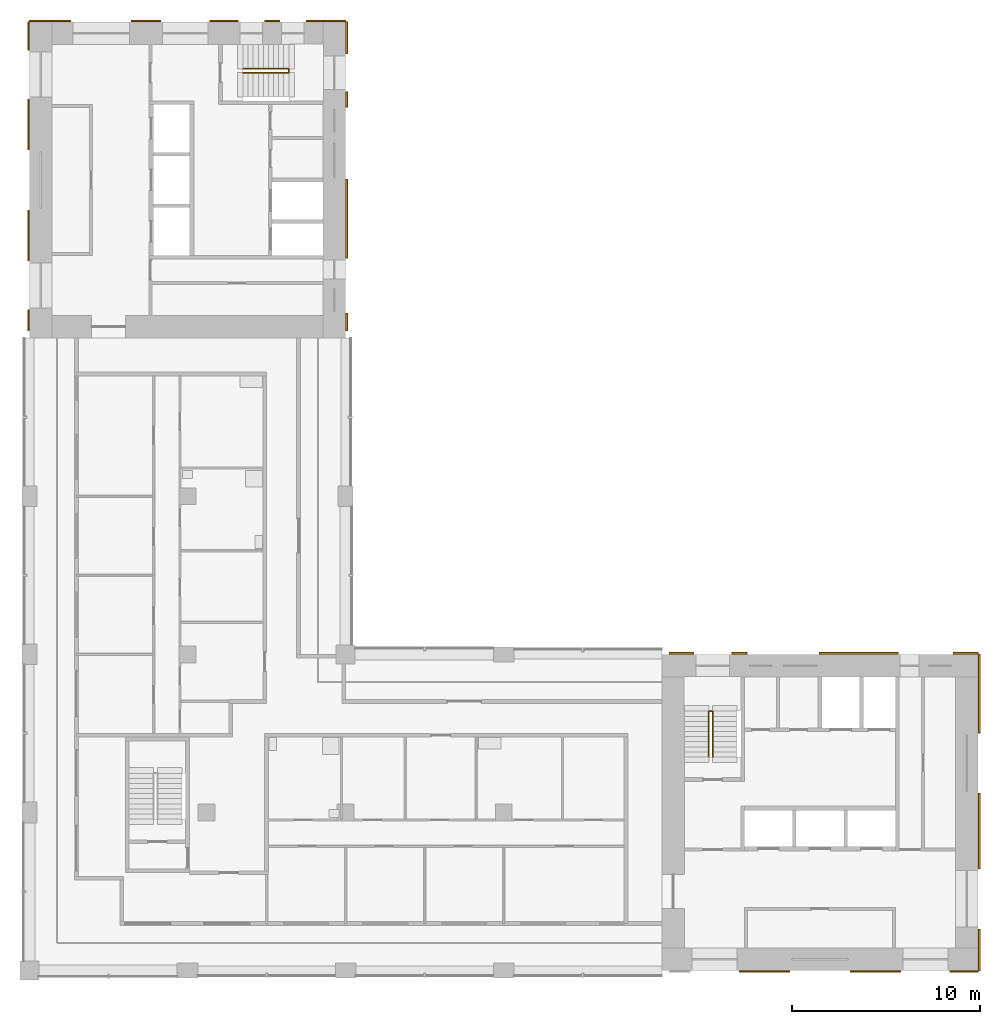
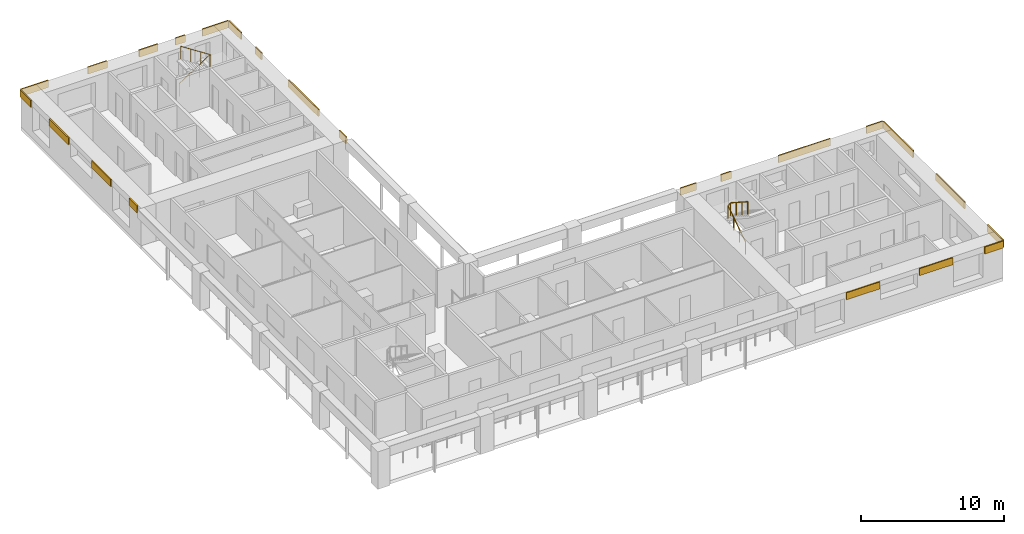
# One storey, part 8 of 9: 23 shading devices, 2 railings.
"""IFC4 building model written with IfcOpenShell, lengths in metres."""

from ifc_helpers import new_model, si_unit, direction, frame, origin, origin_2d, place, context, subcontext, project, spatial, rectangle, circle, extrude, material, layer, layer_set, type_object, element, save


model = new_model("IFC4")

# Units and contexts
model_context = context("Model", 3, precision=1e-05, world=origin(), true_north=direction((0.0, 1.0)))
body_context = subcontext(model_context, "Body", "Model", "MODEL_VIEW")
ifc_project = project(units=[si_unit("LENGTHUNIT", "METRE"), si_unit("AREAUNIT", "SQUARE_METRE"), si_unit("VOLUMEUNIT", "CUBIC_METRE"), si_unit("PLANEANGLEUNIT", "RADIAN"), si_unit("MASSUNIT", "GRAM", prefix="KILO")], contexts=[model_context])

# Site, building, storey
site_placement = place(None, origin())
site = spatial("IfcSite", under=ifc_project, at=site_placement, CompositionType="ELEMENT")
building_placement = place(site_placement, origin())
building = spatial("IfcBuilding", under=site, at=building_placement, Name="Vermilion Gate Residences", CompositionType="ELEMENT")
storey_placement = place(building_placement, frame((0.0, 0.0, 245.699951171875)))
storey = spatial("IfcBuildingStorey", under=building, at=storey_placement, Name="L64", CompositionType="ELEMENT", Elevation=245.699951171875)

# Railings
ifc_material_1 = material(Name="Steel S355", Category="steel")
railing_type = type_object("IfcRailingType", Name="STAIR GUARD 1100 STEEL", PredefinedType="GUARDRAIL", material=ifc_material_1)
railing_1_placement = place(storey_placement, frame((44.5, 19.75, 0.175048828125)))
element("IfcRailing", 1, at=railing_1_placement, inside=storey, type_object=railing_type, Name="Stair well guard STA1-64", PredefinedType="GUARDRAIL", context=body_context, shape_type="SweptSolid", body=[
    extrude(circle(Radius=0.02392578125, at=origin_2d()), frame((0.0, 0.0, 1.076171875), z_axis=(0.0, 0.839153699163, 0.543894354798), x_axis=(-1.0, 0.0, 0.0)), (0.0, 0.0, 1.0), 2.895751953125),
    extrude(circle(Radius=0.02392578125, at=origin_2d()), frame((0.0, 2.429931640625, 2.65087890625), z_axis=(0.752405939678, 0.0, 0.658699705433), x_axis=(0.0, 1.0, 0.0)), (0.0, 0.0, 1.0), 0.265869140625),
    extrude(circle(Radius=0.02392578125, at=origin_2d()), frame((0.199951171875, 2.429931640625, 2.826171875), z_axis=(0.0, -0.839153699163, 0.543894354798), x_axis=(1.0, 0.0, 0.0)), (0.0, 0.0, 1.0), 2.895751953125),
    extrude(circle(Radius=0.02099609375, at=origin_2d()), origin(), (0.0, 0.0, 1.0), 1.052001953125),
    extrude(circle(Radius=0.02099609375, at=origin_2d()), frame((0.0, 0.81005859375, 0.52490234375)), (0.0, 0.0, 1.0), 1.052001953125),
    extrude(circle(Radius=0.02099609375, at=origin_2d()), frame((0.0, 1.619873046875, 1.050048828125)), (0.0, 0.0, 1.0), 1.052001953125),
    extrude(circle(Radius=0.02099609375, at=origin_2d()), frame((0.0, 2.429931640625, 1.574951171875)), (0.0, 0.0, 1.0), 1.052001953125),
    extrude(circle(Radius=0.02099609375, at=origin_2d()), frame((0.199951171875, 2.429931640625, 1.75)), (0.0, 0.0, 1.0), 1.052001953125),
    extrude(circle(Radius=0.02099609375, at=origin_2d()), frame((0.199951171875, 1.619873046875, 2.27490234375)), (0.0, 0.0, 1.0), 1.052001953125),
    extrude(circle(Radius=0.02099609375, at=origin_2d()), frame((0.199951171875, 0.81005859375, 2.800048828125)), (0.0, 0.0, 1.0), 1.052001953125),
    extrude(circle(Radius=0.02099609375, at=origin_2d()), frame((0.199951171875, 0.0, 3.324951171875)), (0.0, 0.0, 1.0), 1.052001953125),
])
railing_2_placement = place(storey_placement, frame((19.75, 56.300048828125, 0.175048828125)))
element("IfcRailing", 2, at=railing_2_placement, inside=storey, type_object=railing_type, Name="Stair well guard STB1-64", PredefinedType="GUARDRAIL", context=body_context, shape_type="SweptSolid", body=[
    extrude(circle(Radius=0.02392578125, at=origin_2d()), frame((0.0, 0.0, 1.076171875), z_axis=(0.839153699163, 0.0, 0.543894354798), x_axis=(0.0, 1.0, 0.0)), (0.0, 0.0, 1.0), 2.895751953125),
    extrude(circle(Radius=0.02392578125, at=origin_2d()), frame((2.429931640625, 0.0, 2.65087890625), z_axis=(0.0, -0.752405939678, 0.658699705433), x_axis=(1.0, 0.0, 0.0)), (0.0, 0.0, 1.0), 0.265869140625),
    extrude(circle(Radius=0.02392578125, at=origin_2d()), frame((2.429931640625, -0.199951171875, 2.826171875), z_axis=(-0.839153699163, 0.0, 0.543894354798), x_axis=(0.0, -1.0, 0.0)), (0.0, 0.0, 1.0), 2.895751953125),
    extrude(circle(Radius=0.02099609375, at=origin_2d()), origin(), (0.0, 0.0, 1.0), 1.052001953125),
    extrude(circle(Radius=0.02099609375, at=origin_2d()), frame((0.81005859375, 0.0, 0.52490234375)), (0.0, 0.0, 1.0), 1.052001953125),
    extrude(circle(Radius=0.02099609375, at=origin_2d()), frame((1.619873046875, 0.0, 1.050048828125)), (0.0, 0.0, 1.0), 1.052001953125),
    extrude(circle(Radius=0.02099609375, at=origin_2d()), frame((2.429931640625, 0.0, 1.574951171875)), (0.0, 0.0, 1.0), 1.052001953125),
    extrude(circle(Radius=0.02099609375, at=origin_2d()), frame((2.429931640625, -0.199951171875, 1.75)), (0.0, 0.0, 1.0), 1.052001953125),
    extrude(circle(Radius=0.02099609375, at=origin_2d()), frame((1.619873046875, -0.199951171875, 2.27490234375)), (0.0, 0.0, 1.0), 1.052001953125),
    extrude(circle(Radius=0.02099609375, at=origin_2d()), frame((0.81005859375, -0.199951171875, 2.800048828125)), (0.0, 0.0, 1.0), 1.052001953125),
    extrude(circle(Radius=0.02099609375, at=origin_2d()), frame((0.0, -0.199951171875, 3.324951171875)), (0.0, 0.0, 1.0), 1.052001953125),
])

# Shading devices
ifc_material_2 = material(Name="Extruded terracotta", Category="masonry")
ifc_layer = layer(ifc_material_2, 0.10009765625)
ifc_layer_set = layer_set([ifc_layer], Name="TERRACOTTA SPANDREL BAND 600 X 100")
shading_device_type = type_object("IfcShadingDeviceType", Name="TERRACOTTA SPANDREL BAND 600 X 100", PredefinedType="USERDEFINED", material=ifc_layer_set)
for number, where, z_axis, x_axis, name in (
    (3, (47.449951171875, 8.35009765625, 2.6201171875), (0.0, 0.0, 1.0), (1.0, 0.0, 0.0), "SPANDREL BAND"),
    (4, (53.35009765625, 8.35009765625, 2.6201171875), (0.0, 0.0, 1.0), (1.0, 0.0, 0.0), "SPANDREL BAND"),
):
    element("IfcShadingDevice", number, at=place(storey_placement, frame(where, z_axis=z_axis, x_axis=x_axis)), inside=storey, type_object=shading_device_type, Name=name, ObjectType="BAND", PredefinedType="USERDEFINED", context=body_context, shape_type="SweptSolid", body=[
        extrude(rectangle(XDim=2.699951171875, YDim=0.10009765625, at=origin_2d()), origin(), (0.0, 0.0, 1.0), 0.60009765625),
    ])
shading_device_1_placement = place(storey_placement, frame((58.050048828125, 8.35009765625, 2.6201171875), z_axis=(0.0, 0.0, 1.0), x_axis=(1.0, 0.0, 0.0)))
element("IfcShadingDevice", 5, at=shading_device_1_placement, inside=storey, type_object=shading_device_type, Name="SPANDREL BAND", ObjectType="BAND", PredefinedType="USERDEFINED", context=body_context, shape_type="SweptSolid", body=[
    extrude(rectangle(XDim=1.5, YDim=0.10009765625, at=origin_2d()), origin(), (0.0, 0.0, 1.0), 0.60009765625),
])
shading_device_2_placement = place(storey_placement, frame((43.050048828125, 25.25, 2.6201171875), z_axis=(0.0, 0.0, 1.0), x_axis=(1.0, 0.0, 0.0)))
element("IfcShadingDevice", 6, at=shading_device_2_placement, inside=storey, type_object=shading_device_type, Name="SPANDREL BAND", ObjectType="BAND", PredefinedType="USERDEFINED", context=body_context, shape_type="SweptSolid", body=[
    extrude(rectangle(XDim=1.300048828125, YDim=0.10009765625, at=origin_2d()), origin(), (0.0, 0.0, 1.0), 0.60009765625),
])
shading_device_3_placement = place(storey_placement, frame((46.121826171875, 25.25, 2.6201171875), z_axis=(0.0, 0.0, 1.0), x_axis=(1.0, 0.0, 0.0)))
element("IfcShadingDevice", 7, at=shading_device_3_placement, inside=storey, type_object=shading_device_type, Name="SPANDREL BAND", ObjectType="BAND", PredefinedType="USERDEFINED", context=body_context, shape_type="SweptSolid", body=[
    extrude(rectangle(XDim=0.84375, YDim=0.10009765625, at=origin_2d()), origin(), (0.0, 0.0, 1.0), 0.60009765625),
])
shading_device_4_placement = place(storey_placement, frame((52.449951171875, 25.25, 2.6201171875), z_axis=(0.0, 0.0, 1.0), x_axis=(1.0, 0.0, 0.0)))
element("IfcShadingDevice", 8, at=shading_device_4_placement, inside=storey, type_object=shading_device_type, Name="SPANDREL BAND", ObjectType="BAND", PredefinedType="USERDEFINED", context=body_context, shape_type="SweptSolid", body=[
    extrude(rectangle(XDim=4.199951171875, YDim=0.10009765625, at=origin_2d()), origin(), (0.0, 0.0, 1.0), 0.60009765625),
])
shading_device_5_placement = place(storey_placement, frame((58.137451171875, 25.25, 2.6201171875), z_axis=(0.0, 0.0, 1.0), x_axis=(1.0, 0.0, 0.0)))
element("IfcShadingDevice", 9, at=shading_device_5_placement, inside=storey, type_object=shading_device_type, Name="SPANDREL BAND", ObjectType="BAND", PredefinedType="USERDEFINED", context=body_context, shape_type="SweptSolid", body=[
    extrude(rectangle(XDim=1.324951171875, YDim=0.10009765625, at=origin_2d()), origin(), (0.0, 0.0, 1.0), 0.60009765625),
])
shading_device_6_placement = place(storey_placement, frame((58.85009765625, 9.50244140625, 2.6201171875), z_axis=(0.0, 0.0, 1.0), x_axis=(0.0, 1.0, 0.0)))
element("IfcShadingDevice", 10, at=shading_device_6_placement, inside=storey, type_object=shading_device_type, Name="SPANDREL BAND", ObjectType="BAND", PredefinedType="USERDEFINED", context=body_context, shape_type="SweptSolid", body=[
    extrude(rectangle(XDim=2.205078125, YDim=0.10009765625, at=origin_2d()), origin(), (0.0, 0.0, 1.0), 0.60009765625),
])
shading_device_7_placement = place(storey_placement, frame((58.85009765625, 15.8125, 2.6201171875), z_axis=(0.0, 0.0, 1.0), x_axis=(0.0, 1.0, 0.0)))
element("IfcShadingDevice", 11, at=shading_device_7_placement, inside=storey, type_object=shading_device_type, Name="SPANDREL BAND", ObjectType="BAND", PredefinedType="USERDEFINED", context=body_context, shape_type="SweptSolid", body=[
    extrude(rectangle(XDim=4.014892578125, YDim=0.10009765625, at=origin_2d()), origin(), (0.0, 0.0, 1.0), 0.60009765625),
])
shading_device_8_placement = place(storey_placement, frame((58.85009765625, 23.110107421875, 2.6201171875), z_axis=(0.0, 0.0, 1.0), x_axis=(0.0, 1.0, 0.0)))
element("IfcShadingDevice", 12, at=shading_device_8_placement, inside=storey, type_object=shading_device_type, Name="SPANDREL BAND", ObjectType="BAND", PredefinedType="USERDEFINED", context=body_context, shape_type="SweptSolid", body=[
    extrude(rectangle(XDim=4.179931640625, YDim=0.10009765625, at=origin_2d()), origin(), (0.0, 0.0, 1.0), 0.60009765625),
])
shading_device_9_placement = place(storey_placement, frame((9.50244140625, 58.85009765625, 2.6201171875), z_axis=(0.0, 0.0, 1.0), x_axis=(1.0, 0.0, 0.0)))
element("IfcShadingDevice", 13, at=shading_device_9_placement, inside=storey, type_object=shading_device_type, Name="SPANDREL BAND", ObjectType="BAND", PredefinedType="USERDEFINED", context=body_context, shape_type="SweptSolid", body=[
    extrude(rectangle(XDim=2.205078125, YDim=0.10009765625, at=origin_2d()), origin(), (0.0, 0.0, 1.0), 0.60009765625),
])
shading_device_10_placement = place(storey_placement, frame((14.590087890625, 58.85009765625, 2.6201171875), z_axis=(0.0, 0.0, 1.0), x_axis=(1.0, 0.0, 0.0)))
element("IfcShadingDevice", 14, at=shading_device_10_placement, inside=storey, type_object=shading_device_type, Name="SPANDREL BAND", ObjectType="BAND", PredefinedType="USERDEFINED", context=body_context, shape_type="SweptSolid", body=[
    extrude(rectangle(XDim=1.570068359375, YDim=0.10009765625, at=origin_2d()), origin(), (0.0, 0.0, 1.0), 0.60009765625),
])
shading_device_11_placement = place(storey_placement, frame((18.734130859375, 58.85009765625, 2.6201171875), z_axis=(0.0, 0.0, 1.0), x_axis=(1.0, 0.0, 0.0)))
element("IfcShadingDevice", 15, at=shading_device_11_placement, inside=storey, type_object=shading_device_type, Name="SPANDREL BAND", ObjectType="BAND", PredefinedType="USERDEFINED", context=body_context, shape_type="SweptSolid", body=[
    extrude(rectangle(XDim=1.518310546875, YDim=0.10009765625, at=origin_2d()), origin(), (0.0, 0.0, 1.0), 0.60009765625),
])
shading_device_12_placement = place(storey_placement, frame((21.294921875, 58.85009765625, 2.6201171875), z_axis=(0.0, 0.0, 1.0), x_axis=(1.0, 0.0, 0.0)))
element("IfcShadingDevice", 16, at=shading_device_12_placement, inside=storey, type_object=shading_device_type, Name="SPANDREL BAND", ObjectType="BAND", PredefinedType="USERDEFINED", context=body_context, shape_type="SweptSolid", body=[
    extrude(rectangle(XDim=0.803466796875, YDim=0.10009765625, at=origin_2d()), origin(), (0.0, 0.0, 1.0), 0.60009765625),
])
shading_device_13_placement = place(storey_placement, frame((24.1484375, 58.85009765625, 2.6201171875), z_axis=(0.0, 0.0, 1.0), x_axis=(1.0, 0.0, 0.0)))
element("IfcShadingDevice", 17, at=shading_device_13_placement, inside=storey, type_object=shading_device_type, Name="SPANDREL BAND", ObjectType="BAND", PredefinedType="USERDEFINED", context=body_context, shape_type="SweptSolid", body=[
    extrude(rectangle(XDim=2.103271484375, YDim=0.10009765625, at=origin_2d()), origin(), (0.0, 0.0, 1.0), 0.60009765625),
])
shading_device_14_placement = place(storey_placement, frame((8.35009765625, 42.949951171875, 2.6201171875), z_axis=(0.0, 0.0, 1.0), x_axis=(0.0, 1.0, 0.0)))
element("IfcShadingDevice", 18, at=shading_device_14_placement, inside=storey, type_object=shading_device_type, Name="SPANDREL BAND", ObjectType="BAND", PredefinedType="USERDEFINED", context=body_context, shape_type="SweptSolid", body=[
    extrude(rectangle(XDim=1.10009765625, YDim=0.10009765625, at=origin_2d()), origin(), (0.0, 0.0, 1.0), 0.60009765625),
])
for number, where, z_axis, x_axis, name in (
    (19, (8.35009765625, 47.449951171875, 2.6201171875), (0.0, 0.0, 1.0), (0.0, 1.0, 0.0), "SPANDREL BAND"),
    (20, (8.35009765625, 53.35009765625, 2.6201171875), (0.0, 0.0, 1.0), (0.0, 1.0, 0.0), "SPANDREL BAND"),
):
    element("IfcShadingDevice", number, at=place(storey_placement, frame(where, z_axis=z_axis, x_axis=x_axis)), inside=storey, type_object=shading_device_type, Name=name, ObjectType="BAND", PredefinedType="USERDEFINED", context=body_context, shape_type="SweptSolid", body=[
        extrude(rectangle(XDim=2.699951171875, YDim=0.10009765625, at=origin_2d()), origin(), (0.0, 0.0, 1.0), 0.60009765625),
    ])
shading_device_15_placement = place(storey_placement, frame((8.35009765625, 58.050048828125, 2.6201171875), z_axis=(0.0, 0.0, 1.0), x_axis=(0.0, 1.0, 0.0)))
element("IfcShadingDevice", 21, at=shading_device_15_placement, inside=storey, type_object=shading_device_type, Name="SPANDREL BAND", ObjectType="BAND", PredefinedType="USERDEFINED", context=body_context, shape_type="SweptSolid", body=[
    extrude(rectangle(XDim=1.5, YDim=0.10009765625, at=origin_2d()), origin(), (0.0, 0.0, 1.0), 0.60009765625),
])
shading_device_16_placement = place(storey_placement, frame((25.25, 42.862548828125, 2.6201171875), z_axis=(0.0, 0.0, 1.0), x_axis=(0.0, 1.0, 0.0)))
element("IfcShadingDevice", 22, at=shading_device_16_placement, inside=storey, type_object=shading_device_type, Name="SPANDREL BAND", ObjectType="BAND", PredefinedType="USERDEFINED", context=body_context, shape_type="SweptSolid", body=[
    extrude(rectangle(XDim=0.925048828125, YDim=0.10009765625, at=origin_2d()), origin(), (0.0, 0.0, 1.0), 0.60009765625),
])
shading_device_17_placement = place(storey_placement, frame((25.25, 48.35009765625, 2.6201171875), z_axis=(0.0, 0.0, 1.0), x_axis=(0.0, 1.0, 0.0)))
element("IfcShadingDevice", 23, at=shading_device_17_placement, inside=storey, type_object=shading_device_type, Name="SPANDREL BAND", ObjectType="BAND", PredefinedType="USERDEFINED", context=body_context, shape_type="SweptSolid", body=[
    extrude(rectangle(XDim=4.199951171875, YDim=0.10009765625, at=origin_2d()), origin(), (0.0, 0.0, 1.0), 0.60009765625),
])
shading_device_18_placement = place(storey_placement, frame((25.25, 54.67822265625, 2.6201171875), z_axis=(0.0, 0.0, 1.0), x_axis=(0.0, 1.0, 0.0)))
element("IfcShadingDevice", 24, at=shading_device_18_placement, inside=storey, type_object=shading_device_type, Name="SPANDREL BAND", ObjectType="BAND", PredefinedType="USERDEFINED", context=body_context, shape_type="SweptSolid", body=[
    extrude(rectangle(XDim=0.84375, YDim=0.10009765625, at=origin_2d()), origin(), (0.0, 0.0, 1.0), 0.60009765625),
])
shading_device_19_placement = place(storey_placement, frame((25.25, 57.949951171875, 2.6201171875), z_axis=(0.0, 0.0, 1.0), x_axis=(0.0, 1.0, 0.0)))
element("IfcShadingDevice", 25, at=shading_device_19_placement, inside=storey, type_object=shading_device_type, Name="SPANDREL BAND", ObjectType="BAND", PredefinedType="USERDEFINED", context=body_context, shape_type="SweptSolid", body=[
    extrude(rectangle(XDim=1.699951171875, YDim=0.10009765625, at=origin_2d()), origin(), (0.0, 0.0, 1.0), 0.60009765625),
])

save(model, "model.ifc")
